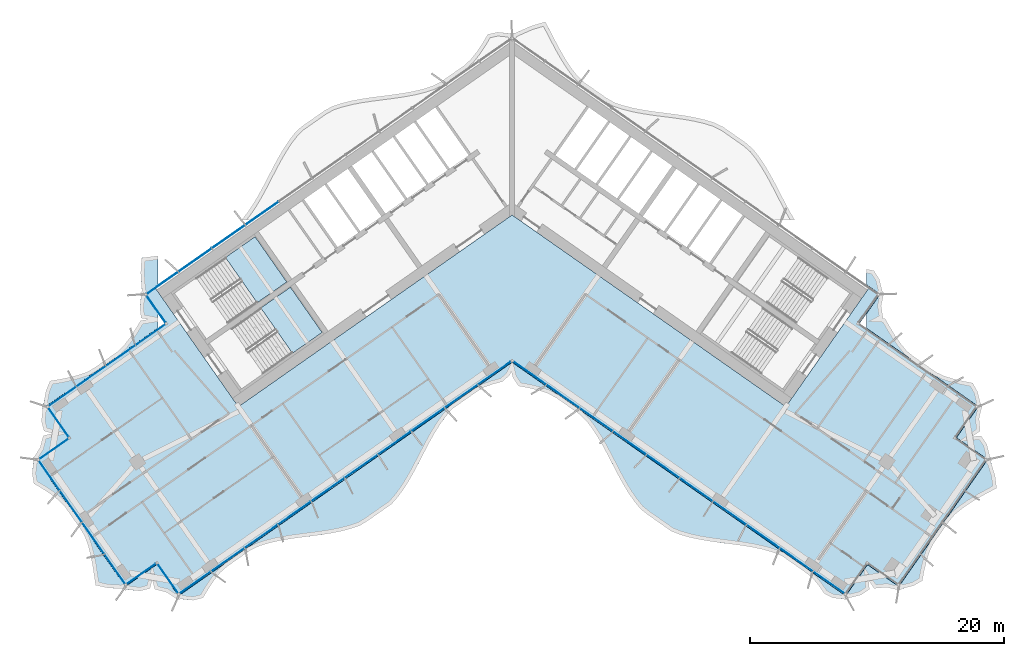
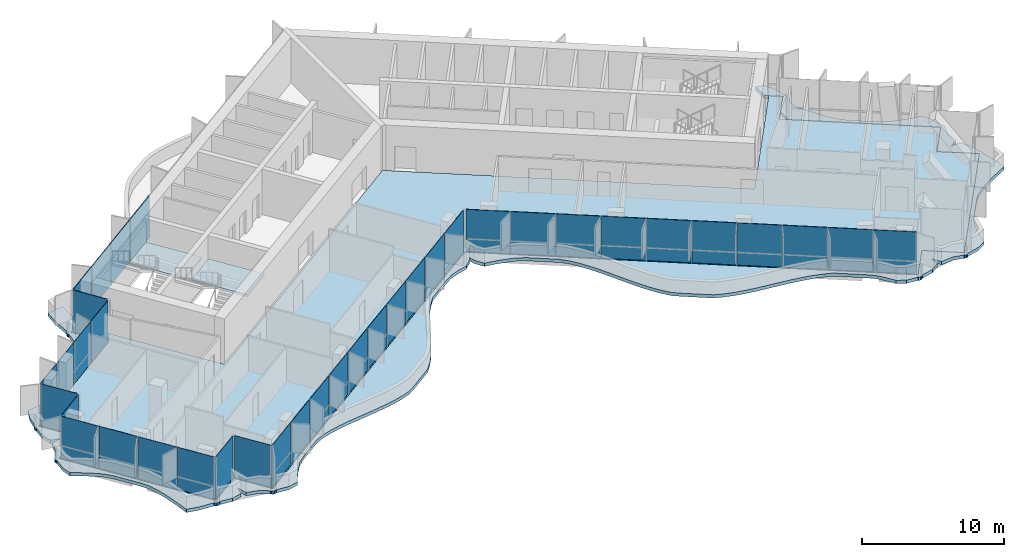
# One storey, part 12 of 23: 37 plates, 4 slabs, 4 elements without a shape of their own.
"""IFC4 building model written with IfcOpenShell, lengths in metres."""

import ifcopenshell
import ifcopenshell.guid

model = None  # the IFC model being written
_history = None  # IfcOwnerHistory: only IFC2X3 demands one
_inside = {}  # id of a spatial element -> (the spatial element, [elements in it])
_under = {}  # id of a project, library or spatial element -> (it, [spatial elements below it])
_declared = {}  # id of a project -> (the project, [libraries it declares])
_typed = {}  # id of a type object -> (the type object, [elements of that type])
_made_of = {}  # id of a material, layer set ... -> (it, [elements and type objects made of it])


def new_model(schema):
    """Start an empty IFC model of exactly this schema.

    Asked for "IFC4X3", IfcOpenShell would pick the latest addendum, in which some entities
    have other attributes; the version numbers below select the first issue.
    IFC2X3 requires an IfcOwnerHistory on every rooted entity: one is made here for all.
    """
    global model, _history
    if schema == "IFC4X3":
        model = ifcopenshell.file(schema_version=(4, 3, 0, 0))
    else:
        model = ifcopenshell.file(schema=schema)
    _inside.clear()
    _under.clear()
    _declared.clear()
    _typed.clear()
    _made_of.clear()
    _history = None
    if model.schema == "IFC2X3":
        org = make("IfcOrganization", Name="unknown")
        user = make(
            "IfcPersonAndOrganization",
            ThePerson=make("IfcPerson", FamilyName="unknown"),
            TheOrganization=org,
        )
        app = make(
            "IfcApplication",
            ApplicationDeveloper=org,
            Version="unknown",
            ApplicationFullName="unknown",
            ApplicationIdentifier="unknown",
        )
        _history = make(
            "IfcOwnerHistory",
            OwningUser=user,
            OwningApplication=app,
            ChangeAction="ADDED",
            CreationDate=0,
        )
    return model


def make(cls, **values):
    """One entity of the class cls with the attributes given. An attribute that is None is left unset."""
    return model.create_entity(
        cls, **{name: value for name, value in values.items() if value is not None}
    )


def rooted(cls, **values):
    """An entity with a GlobalId (a new one), such as an element, a storey or a relation."""
    return make(cls, GlobalId=ifcopenshell.guid.new(), OwnerHistory=_history, **values)


def si_unit(unit_type, name, prefix=None):
    """IfcSIUnit, for example si_unit("LENGTHUNIT", "METRE", prefix="MILLI")."""
    return make("IfcSIUnit", UnitType=unit_type, Prefix=prefix, Name=name)


def assignment(units):
    """IfcUnitAssignment: the units of a project."""
    return None if units is None else make("IfcUnitAssignment", Units=units)


def point(xyz):
    """IfcCartesianPoint."""
    return None if xyz is None else make("IfcCartesianPoint", Coordinates=xyz)


def direction(xyz):
    """IfcDirection."""
    return None if xyz is None else make("IfcDirection", DirectionRatios=xyz)


def frame(location, z_axis=None, x_axis=None):
    """IfcAxis2Placement3D, a coordinate frame: its origin and axes. An axis left out is left unset."""
    return make(
        "IfcAxis2Placement3D",
        Location=point(location),
        Axis=direction(z_axis),
        RefDirection=direction(x_axis),
    )


def frame_2d(location, x_axis=None):
    """IfcAxis2Placement2D, a coordinate frame in the plane: its origin and x axis."""
    return make(
        "IfcAxis2Placement2D", Location=point(location), RefDirection=direction(x_axis)
    )


def origin():
    """The frame at (0, 0, 0) with its axes left unset."""
    return frame((0.0, 0.0, 0.0))


def origin_2d():
    """The frame at (0, 0) in the plane with its x axis left unset."""
    return frame_2d((0.0, 0.0))


def place(relative_to, where):
    """IfcLocalPlacement: puts the frame where relative to a parent placement (None: the world)."""
    return make(
        "IfcLocalPlacement", PlacementRelTo=relative_to, RelativePlacement=where
    )


def context(
    kind, dimensions, precision=None, world=None, true_north=None, identifier=None
):
    """IfcGeometricRepresentationContext, for example the 3D "Model" context."""
    return make(
        "IfcGeometricRepresentationContext",
        ContextIdentifier=identifier,
        ContextType=kind,
        CoordinateSpaceDimension=dimensions,
        Precision=precision,
        WorldCoordinateSystem=world,
        TrueNorth=true_north,
    )


def subcontext(parent, identifier, kind, view, scale=None):
    """IfcGeometricRepresentationSubContext, for example "Body" below "Model"."""
    return make(
        "IfcGeometricRepresentationSubContext",
        ContextIdentifier=identifier,
        ContextType=kind,
        ParentContext=parent,
        TargetScale=scale,
        TargetView=view,
    )


def project(units=None, contexts=None):
    """IfcProject with its units and contexts."""
    return rooted(
        "IfcProject",
        Name="project",
        RepresentationContexts=contexts,
        UnitsInContext=assignment(units),
    )


def spatial(cls, under=None, at=None, **own):
    """A site, building, storey or space (cls), placed at a placement, below another one or the project."""
    s = rooted(cls, ObjectPlacement=at, **own)
    if under is not None:
        _under.setdefault(under.id(), (under, []))[1].append(s)
    return s


def polyline(points):
    """IfcPolyline through the points."""
    return make("IfcPolyline", Points=[point(p) for p in points])


def profile(cls, at=None, kind="AREA", **sizes):
    """A parametric profile (cls). Its sizes go by their IFC names, for example OverallWidth=200.0."""
    return make(cls, ProfileType=kind, Position=at, **sizes)


def rectangle(**sizes):
    """IfcRectangleProfileDef."""
    return profile("IfcRectangleProfileDef", **sizes)


def outline(outer, holes=None, kind="AREA"):
    """IfcArbitraryClosedProfileDef: a profile drawn as a closed curve; with holes, ...WithVoids."""
    if holes is None:
        return make("IfcArbitraryClosedProfileDef", ProfileType=kind, OuterCurve=outer)
    return make(
        "IfcArbitraryProfileDefWithVoids",
        ProfileType=kind,
        OuterCurve=outer,
        InnerCurves=holes,
    )


def extrude(swept, where, along, depth):
    """IfcExtrudedAreaSolid: the profile swept, set in the frame where, extruded along a direction by depth."""
    return make(
        "IfcExtrudedAreaSolid",
        SweptArea=swept,
        Position=where,
        ExtrudedDirection=direction(along),
        Depth=depth,
    )


def shape(context_of_items, identifier, shape_type, items):
    """IfcShapeRepresentation: the items that make up one representation, for example the "Body"."""
    return make(
        "IfcShapeRepresentation",
        ContextOfItems=context_of_items,
        RepresentationIdentifier=identifier,
        RepresentationType=shape_type,
        Items=items,
    )


def material(Name=None, Category=None):
    """IfcMaterial."""
    return make("IfcMaterial", Name=Name, Category=Category)


def layer(
    of_material, thickness, ventilated=None, Name=None, Category=None, Priority=None
):
    """IfcMaterialLayer: one layer of a wall or slab, of a material (None: an air gap)."""
    return make(
        "IfcMaterialLayer",
        Material=of_material,
        LayerThickness=thickness,
        IsVentilated=ventilated,
        Name=Name,
        Category=Category,
        Priority=Priority,
    )


def layer_set(layers, Name=None):
    """IfcMaterialLayerSet."""
    return make("IfcMaterialLayerSet", MaterialLayers=layers, LayerSetName=Name)


def made_of(thing, what):
    """Note that an element or type object is made of a material, layer set ...; save() writes the relation."""
    if what is not None:
        _made_of.setdefault(what.id(), (what, []))[1].append(thing)
    return thing


def type_object(cls, material=None, **own):
    """A type object (cls), such as IfcWallType, which elements share."""
    return made_of(rooted(cls, **own), material)


def element(
    cls,
    number,
    at=None,
    inside=None,
    cuts=None,
    type_object=None,
    material=None,
    context=None,
    identifier="Body",
    shape_type=None,
    held_by="IfcProductDefinitionShape",
    body=None,
    shapes=None,
    **own,
):
    """One element of the class cls, such as IfcWall. Its Tag is "e" and its number.

    at: its placement. inside: the storey or other place that contains it. cuts: it is an
    opening in that element (IfcRelVoidsElement). A single representation is given by context,
    identifier, shape_type and body (its items); several are given by shapes. held_by: the class
    of the entity that holds the representations. save() writes the other relations.
    """
    e = rooted(cls, Tag="e%d" % number, ObjectPlacement=at, **own)
    if body is not None:
        shapes = [shape(context, identifier, shape_type, body)]
    if shapes is not None:
        e.Representation = make(held_by, Representations=shapes)
    if inside is not None:
        _inside.setdefault(inside.id(), (inside, []))[1].append(e)
    if cuts is not None:
        rooted(
            "IfcRelVoidsElement", RelatingBuildingElement=cuts, RelatedOpeningElement=e
        )
    if type_object is not None:
        _typed.setdefault(type_object.id(), (type_object, []))[1].append(e)
    return made_of(e, material)


def aggregate(whole, parts):
    """IfcRelAggregates: a whole, such as a stair, and the parts it consists of."""
    return rooted("IfcRelAggregates", RelatingObject=whole, RelatedObjects=parts)


def save(model, path):
    """Write the relations noted so far, then the file.

    IfcRelAggregates (storeys below a building ...), IfcRelContainedInSpatialStructure (elements
    in a storey), IfcRelDefinesByType, IfcRelAssociatesMaterial and IfcRelDeclares: one each for
    every whole, place, type object, material and project.
    """
    for whole, parts in _under.values():
        aggregate(whole, parts)
    for where, things in _inside.values():
        rooted(
            "IfcRelContainedInSpatialStructure",
            RelatedElements=things,
            RelatingStructure=where,
        )
    for kind, things in _typed.values():
        rooted("IfcRelDefinesByType", RelatedObjects=things, RelatingType=kind)
    for what, things in _made_of.values():
        rooted("IfcRelAssociatesMaterial", RelatedObjects=things, RelatingMaterial=what)
    for by, libraries in _declared.values():
        rooted("IfcRelDeclares", RelatingContext=by, RelatedDefinitions=libraries)
    model.write(path)


model = new_model("IFC4")

# Units and contexts
model_context = context("Model", 3, precision=1e-05, world=origin(), true_north=direction((0.0, 1.0)))
body_context = subcontext(model_context, "Body", "Model", "MODEL_VIEW")
ifc_project = project(units=[si_unit("LENGTHUNIT", "METRE"), si_unit("AREAUNIT", "SQUARE_METRE"), si_unit("VOLUMEUNIT", "CUBIC_METRE"), si_unit("PLANEANGLEUNIT", "RADIAN"), si_unit("MASSUNIT", "GRAM", prefix="KILO")], contexts=[model_context])

# Site, building, storey
site_placement = place(None, origin())
site = spatial("IfcSite", under=ifc_project, at=site_placement, CompositionType="ELEMENT")
building_placement = place(site_placement, origin())
building = spatial("IfcBuilding", under=site, at=building_placement, Name="Tel Ilan Convention Tower", CompositionType="ELEMENT")
storey_placement = place(building_placement, frame((0.0, 0.0, 186.60009765625)))
storey = spatial("IfcBuildingStorey", under=building, at=storey_placement, Name="L43", CompositionType="ELEMENT", Elevation=186.60009765625)

# Curtain wall, plates
ifc_material_1 = material(Name="Aluminium, bronze anodised", Category="aluminium")
curtain_wall_type_1 = type_object("IfcCurtainWallType", Name="CW4 STICK CURTAIN WALL, OFFICE TINTED GLASS", PredefinedType="NOTDEFINED", material=ifc_material_1)
curtain_wall_1_placement = place(storey_placement, origin())
curtain_wall_1 = element("IfcCurtainWall", 1, at=curtain_wall_1_placement, inside=storey, type_object=curtain_wall_type_1, Name="Curtain wall CW4-33.02", PredefinedType="NOTDEFINED")
ifc_material_2 = material(Name="Glass, bronze tinted, two-ply", Category="glass")
ifc_layer_1 = layer(ifc_material_2, 0.028076171875)
ifc_layer_set_1 = layer_set([ifc_layer_1], Name="CW GLASS PANEL 28")
plate_type_1 = type_object("IfcPlateType", Name="CW GLASS PANEL 28", PredefinedType="CURTAIN_PANEL", material=ifc_layer_set_1)
plate_1_placement = place(storey_placement, frame((-28.450927734375, -10.6435546875, -0.000244140625), z_axis=(0.0, 0.0, 1.0), x_axis=(-0.819152044289, -0.573576436351, 0.0)))
plate_1 = element("IfcPlate", 2, at=plate_1_placement, type_object=plate_type_1, Name="Glass panel", PredefinedType="CURTAIN_PANEL", context=body_context, shape_type="SweptSolid", body=[
    extrude(rectangle(XDim=2.819091796875, YDim=0.028076171875, at=origin_2d()), origin(), (0.0, 0.0, 1.0), 3.6201171875),
])
plate_2_placement = place(storey_placement, frame((-30.79736328125, -12.28662109375, -0.000244140625), z_axis=(0.0, 0.0, 1.0), x_axis=(-0.819152044289, -0.573576436351, 0.0)))
plate_2 = element("IfcPlate", 3, at=plate_2_placement, type_object=plate_type_1, Name="Glass panel", PredefinedType="CURTAIN_PANEL", context=body_context, shape_type="SweptSolid", body=[
    extrude(rectangle(XDim=2.7900390625, YDim=0.028076171875, at=origin_2d()), origin(), (0.0, 0.0, 1.0), 3.6201171875),
])
plate_3_placement = place(storey_placement, frame((-33.1318359375, -13.92138671875, -0.000244140625), z_axis=(0.0, 0.0, 1.0), x_axis=(-0.819152044289, -0.573576436351, 0.0)))
plate_3 = element("IfcPlate", 4, at=plate_3_placement, type_object=plate_type_1, Name="Glass panel", PredefinedType="CURTAIN_PANEL", context=body_context, shape_type="SweptSolid", body=[
    extrude(rectangle(XDim=2.7900390625, YDim=0.028076171875, at=origin_2d()), origin(), (0.0, 0.0, 1.0), 3.6201171875),
])
plate_4_placement = place(storey_placement, frame((-35.427978515625, -15.529052734375, -0.000244140625), z_axis=(0.0, 0.0, 1.0), x_axis=(-0.819152044289, -0.573576436351, 0.0)))
plate_4 = element("IfcPlate", 5, at=plate_4_placement, type_object=plate_type_1, Name="Glass panel", PredefinedType="CURTAIN_PANEL", context=body_context, shape_type="SweptSolid", body=[
    extrude(rectangle(XDim=2.696044921875, YDim=0.028076171875, at=origin_2d()), origin(), (0.0, 0.0, 1.0), 3.6201171875),
])
plate_5_placement = place(storey_placement, frame((-35.713623046875, -17.51318359375, -0.000244140625), z_axis=(0.0, 0.0, 1.0), x_axis=(0.573576436351, -0.819152044289, 0.0)))
plate_5 = element("IfcPlate", 6, at=plate_5_placement, type_object=plate_type_1, Name="Glass panel", PredefinedType="CURTAIN_PANEL", context=body_context, shape_type="SweptSolid", body=[
    extrude(rectangle(XDim=2.875, YDim=0.028076171875, at=origin_2d()), origin(), (0.0, 0.0, 1.0), 3.6201171875),
])
plate_6_placement = place(storey_placement, frame((-36.09130859375, -19.656005859375, -0.000244140625), z_axis=(0.0, 0.0, 1.0), x_axis=(-0.819152044289, -0.573576436351, 0.0)))
plate_6 = element("IfcPlate", 7, at=plate_6_placement, type_object=plate_type_1, Name="Glass panel", PredefinedType="CURTAIN_PANEL", context=body_context, shape_type="SweptSolid", body=[
    extrude(rectangle(XDim=2.875, YDim=0.028076171875, at=origin_2d()), origin(), (0.0, 0.0, 1.0), 3.6201171875),
])
plate_7_placement = place(storey_placement, frame((-36.4443359375, -21.699951171875, -0.000244140625), z_axis=(0.0, 0.0, 1.0), x_axis=(0.573576436351, -0.819152044289, 0.0)))
plate_7 = element("IfcPlate", 8, at=plate_7_placement, type_object=plate_type_1, Name="Glass panel", PredefinedType="CURTAIN_PANEL", context=body_context, shape_type="SweptSolid", body=[
    extrude(rectangle(XDim=2.89599609375, YDim=0.028076171875, at=origin_2d()), origin(), (0.0, 0.0, 1.0), 3.6201171875),
])
plate_8_placement = place(storey_placement, frame((-34.721923828125, -24.159912109375, -0.000244140625), z_axis=(0.0, 0.0, 1.0), x_axis=(0.573576436351, -0.819152044289, 0.0)))
plate_8 = element("IfcPlate", 9, at=plate_8_placement, type_object=plate_type_1, Name="Glass panel", PredefinedType="CURTAIN_PANEL", context=body_context, shape_type="SweptSolid", body=[
    extrude(rectangle(XDim=2.989990234375, YDim=0.028076171875, at=origin_2d()), origin(), (0.0, 0.0, 1.0), 3.6201171875),
])
plate_9_placement = place(storey_placement, frame((-32.972412109375, -26.658203125, -0.000244140625), z_axis=(0.0, 0.0, 1.0), x_axis=(0.573576436351, -0.819152044289, 0.0)))
plate_9 = element("IfcPlate", 10, at=plate_9_placement, type_object=plate_type_1, Name="Glass panel", PredefinedType="CURTAIN_PANEL", context=body_context, shape_type="SweptSolid", body=[
    extrude(rectangle(XDim=2.989990234375, YDim=0.028076171875, at=origin_2d()), origin(), (0.0, 0.0, 1.0), 3.6201171875),
])
plate_10_placement = place(storey_placement, frame((-31.25, -29.1181640625, -0.000244140625), z_axis=(0.0, 0.0, 1.0), x_axis=(0.573576436351, -0.819152044289, 0.0)))
plate_10 = element("IfcPlate", 11, at=plate_10_placement, type_object=plate_type_1, Name="Glass panel", PredefinedType="CURTAIN_PANEL", context=body_context, shape_type="SweptSolid", body=[
    extrude(rectangle(XDim=2.89599609375, YDim=0.028076171875, at=origin_2d()), origin(), (0.0, 0.0, 1.0), 3.6201171875),
])
plate_11_placement = place(storey_placement, frame((-29.20849609375, -29.48583984375, -0.000244140625), z_axis=(0.0, 0.0, 1.0), x_axis=(0.819152044289, 0.573576436351, 0.0)))
plate_11 = element("IfcPlate", 12, at=plate_11_placement, type_object=plate_type_1, Name="Glass panel", PredefinedType="CURTAIN_PANEL", context=body_context, shape_type="SweptSolid", body=[
    extrude(rectangle(XDim=2.875, YDim=0.028076171875, at=origin_2d()), origin(), (0.0, 0.0, 1.0), 3.6201171875),
])
plate_12_placement = place(storey_placement, frame((-27.065673828125, -29.863525390625, -0.000244140625), z_axis=(0.0, 0.0, 1.0), x_axis=(0.573576436351, -0.819152044289, 0.0)))
plate_12 = element("IfcPlate", 13, at=plate_12_placement, type_object=plate_type_1, Name="Glass panel", PredefinedType="CURTAIN_PANEL", context=body_context, shape_type="SweptSolid", body=[
    extrude(rectangle(XDim=2.875, YDim=0.028076171875, at=origin_2d()), origin(), (0.0, 0.0, 1.0), 3.6201171875),
])
plate_13_placement = place(storey_placement, frame((-24.958251953125, -30.172119140625, -0.000244140625), z_axis=(0.0, 0.0, 1.0), x_axis=(0.819152044289, 0.573576436351, 0.0)))
plate_13 = element("IfcPlate", 14, at=plate_13_placement, type_object=plate_type_1, Name="Glass panel", PredefinedType="CURTAIN_PANEL", context=body_context, shape_type="SweptSolid", body=[
    extrude(rectangle(XDim=3.05078125, YDim=0.028076171875, at=origin_2d()), origin(), (0.0, 0.0, 1.0), 3.6201171875),
])
plate_14_placement = place(storey_placement, frame((-22.37158203125, -28.36083984375, -0.000244140625), z_axis=(0.0, 0.0, 1.0), x_axis=(0.819152044289, 0.573576436351, 0.0)))
plate_14 = element("IfcPlate", 15, at=plate_14_placement, type_object=plate_type_1, Name="Glass panel", PredefinedType="CURTAIN_PANEL", context=body_context, shape_type="SweptSolid", body=[
    extrude(rectangle(XDim=3.144775390625, YDim=0.028076171875, at=origin_2d()), origin(), (0.0, 0.0, 1.0), 3.6201171875),
])
plate_15_placement = place(storey_placement, frame((-19.746337890625, -26.522705078125, -0.000244140625), z_axis=(0.0, 0.0, 1.0), x_axis=(0.819152044289, 0.573576436351, 0.0)))
plate_15 = element("IfcPlate", 16, at=plate_15_placement, type_object=plate_type_1, Name="Glass panel", PredefinedType="CURTAIN_PANEL", context=body_context, shape_type="SweptSolid", body=[
    extrude(rectangle(XDim=3.144775390625, YDim=0.028076171875, at=origin_2d()), origin(), (0.0, 0.0, 1.0), 3.6201171875),
])
plate_16_placement = place(storey_placement, frame((-17.12109375, -24.684326171875, -0.000244140625), z_axis=(0.0, 0.0, 1.0), x_axis=(0.819152044289, 0.573576436351, 0.0)))
plate_16 = element("IfcPlate", 17, at=plate_16_placement, type_object=plate_type_1, Name="Glass panel", PredefinedType="CURTAIN_PANEL", context=body_context, shape_type="SweptSolid", body=[
    extrude(rectangle(XDim=3.144775390625, YDim=0.028076171875, at=origin_2d()), origin(), (0.0, 0.0, 1.0), 3.6201171875),
])
plate_17_placement = place(storey_placement, frame((-14.49609375, -22.84619140625, -0.000244140625), z_axis=(0.0, 0.0, 1.0), x_axis=(0.819152044289, 0.573576436351, 0.0)))
plate_17 = element("IfcPlate", 18, at=plate_17_placement, type_object=plate_type_1, Name="Glass panel", PredefinedType="CURTAIN_PANEL", context=body_context, shape_type="SweptSolid", body=[
    extrude(rectangle(XDim=3.144775390625, YDim=0.028076171875, at=origin_2d()), origin(), (0.0, 0.0, 1.0), 3.6201171875),
])
plate_18_placement = place(storey_placement, frame((-11.870849609375, -21.008056640625, -0.000244140625), z_axis=(0.0, 0.0, 1.0), x_axis=(0.819152044289, 0.573576436351, 0.0)))
plate_18 = element("IfcPlate", 19, at=plate_18_placement, type_object=plate_type_1, Name="Glass panel", PredefinedType="CURTAIN_PANEL", context=body_context, shape_type="SweptSolid", body=[
    extrude(rectangle(XDim=3.144775390625, YDim=0.028076171875, at=origin_2d()), origin(), (0.0, 0.0, 1.0), 3.6201171875),
])
plate_19_placement = place(storey_placement, frame((-9.24560546875, -19.169921875, -0.000244140625), z_axis=(0.0, 0.0, 1.0), x_axis=(0.819152044289, 0.573576436351, 0.0)))
plate_19 = element("IfcPlate", 20, at=plate_19_placement, type_object=plate_type_1, Name="Glass panel", PredefinedType="CURTAIN_PANEL", context=body_context, shape_type="SweptSolid", body=[
    extrude(rectangle(XDim=3.144775390625, YDim=0.028076171875, at=origin_2d()), origin(), (0.0, 0.0, 1.0), 3.6201171875),
])
plate_20_placement = place(storey_placement, frame((-6.620361328125, -17.331787109375, -0.000244140625), z_axis=(0.0, 0.0, 1.0), x_axis=(0.819152044289, 0.573576436351, 0.0)))
plate_20 = element("IfcPlate", 21, at=plate_20_placement, type_object=plate_type_1, Name="Glass panel", PredefinedType="CURTAIN_PANEL", context=body_context, shape_type="SweptSolid", body=[
    extrude(rectangle(XDim=3.144775390625, YDim=0.028076171875, at=origin_2d()), origin(), (0.0, 0.0, 1.0), 3.6201171875),
])
plate_21_placement = place(storey_placement, frame((-3.9951171875, -15.493408203125, -0.000244140625), z_axis=(0.0, 0.0, 1.0), x_axis=(0.819152044289, 0.573576436351, 0.0)))
plate_21 = element("IfcPlate", 22, at=plate_21_placement, type_object=plate_type_1, Name="Glass panel", PredefinedType="CURTAIN_PANEL", context=body_context, shape_type="SweptSolid", body=[
    extrude(rectangle(XDim=3.144775390625, YDim=0.028076171875, at=origin_2d()), origin(), (0.0, 0.0, 1.0), 3.6201171875),
])
plate_22_placement = place(storey_placement, frame((-1.370361328125, -13.655517578125, -0.000244140625), z_axis=(0.0, 0.0, 1.0), x_axis=(0.819152044289, 0.573576436351, 0.0)))
plate_22 = element("IfcPlate", 23, at=plate_22_placement, type_object=plate_type_1, Name="Glass panel", PredefinedType="CURTAIN_PANEL", context=body_context, shape_type="SweptSolid", body=[
    extrude(rectangle(XDim=3.143798828125, YDim=0.028076171875, at=origin_2d()), origin(), (0.0, 0.0, 1.0), 3.6201171875),
])
plate_23_placement = place(storey_placement, frame((1.3818359375, -13.66357421875, -0.000244140625), z_axis=(0.0, 0.0, 1.0), x_axis=(0.819152044289, -0.573576436351, 0.0)))
plate_23 = element("IfcPlate", 24, at=plate_23_placement, type_object=plate_type_1, Name="Glass panel", PredefinedType="CURTAIN_PANEL", context=body_context, shape_type="SweptSolid", body=[
    extrude(rectangle(XDim=3.11572265625, YDim=0.028076171875, at=origin_2d()), origin(), (0.0, 0.0, 1.0), 3.6201171875),
])
plate_24_placement = place(storey_placement, frame((3.9951171875, -15.493408203125, -0.000244140625), z_axis=(0.0, 0.0, 1.0), x_axis=(0.819152044289, -0.573576436351, 0.0)))
plate_24 = element("IfcPlate", 25, at=plate_24_placement, type_object=plate_type_1, Name="Glass panel", PredefinedType="CURTAIN_PANEL", context=body_context, shape_type="SweptSolid", body=[
    extrude(rectangle(XDim=3.144775390625, YDim=0.028076171875, at=origin_2d()), origin(), (0.0, 0.0, 1.0), 3.6201171875),
])
plate_25_placement = place(storey_placement, frame((6.620361328125, -17.331787109375, -0.000244140625), z_axis=(0.0, 0.0, 1.0), x_axis=(0.819152044289, -0.573576436351, 0.0)))
plate_25 = element("IfcPlate", 26, at=plate_25_placement, type_object=plate_type_1, Name="Glass panel", PredefinedType="CURTAIN_PANEL", context=body_context, shape_type="SweptSolid", body=[
    extrude(rectangle(XDim=3.144775390625, YDim=0.028076171875, at=origin_2d()), origin(), (0.0, 0.0, 1.0), 3.6201171875),
])
plate_26_placement = place(storey_placement, frame((9.24560546875, -19.169921875, -0.000244140625), z_axis=(0.0, 0.0, 1.0), x_axis=(0.819152044289, -0.573576436351, 0.0)))
plate_26 = element("IfcPlate", 27, at=plate_26_placement, type_object=plate_type_1, Name="Glass panel", PredefinedType="CURTAIN_PANEL", context=body_context, shape_type="SweptSolid", body=[
    extrude(rectangle(XDim=3.144775390625, YDim=0.028076171875, at=origin_2d()), origin(), (0.0, 0.0, 1.0), 3.6201171875),
])
plate_27_placement = place(storey_placement, frame((11.870849609375, -21.008056640625, -0.000244140625), z_axis=(0.0, 0.0, 1.0), x_axis=(0.819152044289, -0.573576436351, 0.0)))
plate_27 = element("IfcPlate", 28, at=plate_27_placement, type_object=plate_type_1, Name="Glass panel", PredefinedType="CURTAIN_PANEL", context=body_context, shape_type="SweptSolid", body=[
    extrude(rectangle(XDim=3.144775390625, YDim=0.028076171875, at=origin_2d()), origin(), (0.0, 0.0, 1.0), 3.6201171875),
])
plate_28_placement = place(storey_placement, frame((14.49609375, -22.84619140625, -0.000244140625), z_axis=(0.0, 0.0, 1.0), x_axis=(0.819152044289, -0.573576436351, 0.0)))
plate_28 = element("IfcPlate", 29, at=plate_28_placement, type_object=plate_type_1, Name="Glass panel", PredefinedType="CURTAIN_PANEL", context=body_context, shape_type="SweptSolid", body=[
    extrude(rectangle(XDim=3.144775390625, YDim=0.028076171875, at=origin_2d()), origin(), (0.0, 0.0, 1.0), 3.6201171875),
])
plate_29_placement = place(storey_placement, frame((17.12109375, -24.684326171875, -0.000244140625), z_axis=(0.0, 0.0, 1.0), x_axis=(0.819152044289, -0.573576436351, 0.0)))
plate_29 = element("IfcPlate", 30, at=plate_29_placement, type_object=plate_type_1, Name="Glass panel", PredefinedType="CURTAIN_PANEL", context=body_context, shape_type="SweptSolid", body=[
    extrude(rectangle(XDim=3.144775390625, YDim=0.028076171875, at=origin_2d()), origin(), (0.0, 0.0, 1.0), 3.6201171875),
])
plate_30_placement = place(storey_placement, frame((19.746337890625, -26.522705078125, -0.000244140625), z_axis=(0.0, 0.0, 1.0), x_axis=(0.819152044289, -0.573576436351, 0.0)))
plate_30 = element("IfcPlate", 31, at=plate_30_placement, type_object=plate_type_1, Name="Glass panel", PredefinedType="CURTAIN_PANEL", context=body_context, shape_type="SweptSolid", body=[
    extrude(rectangle(XDim=3.144775390625, YDim=0.028076171875, at=origin_2d()), origin(), (0.0, 0.0, 1.0), 3.6201171875),
])
plate_31_placement = place(storey_placement, frame((22.37158203125, -28.36083984375, -0.000244140625), z_axis=(0.0, 0.0, 1.0), x_axis=(0.819152044289, -0.573576436351, 0.0)))
plate_31 = element("IfcPlate", 32, at=plate_31_placement, type_object=plate_type_1, Name="Glass panel", PredefinedType="CURTAIN_PANEL", context=body_context, shape_type="SweptSolid", body=[
    extrude(rectangle(XDim=3.144775390625, YDim=0.028076171875, at=origin_2d()), origin(), (0.0, 0.0, 1.0), 3.6201171875),
])
plate_32_placement = place(storey_placement, frame((24.958251953125, -30.172119140625, -0.000244140625), z_axis=(0.0, 0.0, 1.0), x_axis=(0.819152044289, -0.573576436351, 0.0)))
plate_32 = element("IfcPlate", 33, at=plate_32_placement, type_object=plate_type_1, Name="Glass panel", PredefinedType="CURTAIN_PANEL", context=body_context, shape_type="SweptSolid", body=[
    extrude(rectangle(XDim=3.05078125, YDim=0.028076171875, at=origin_2d()), origin(), (0.0, 0.0, 1.0), 3.6201171875),
])
aggregate(curtain_wall_1, [plate_1, plate_2, plate_3, plate_4, plate_5, plate_6, plate_7, plate_8, plate_9, plate_10, plate_11, plate_12, plate_13, plate_14, plate_15, plate_16, plate_17, plate_18, plate_19, plate_20, plate_21, plate_22, plate_23, plate_24, plate_25, plate_26, plate_27, plate_28, plate_29, plate_30, plate_31, plate_32])

ifc_material_3 = material(Name="Aluminium, bronze anodised", Category="aluminium")
curtain_wall_type_2 = type_object("IfcCurtainWallType", Name="CW2 STICK CURTAIN WALL, SPANDREL PANELS", PredefinedType="NOTDEFINED", material=ifc_material_3)
curtain_wall_2_placement = place(storey_placement, origin())
curtain_wall_2 = element("IfcCurtainWall", 34, at=curtain_wall_2_placement, inside=storey, type_object=curtain_wall_type_2, Name="Curtain wall CW2-33.01", PredefinedType="NOTDEFINED")
ifc_material_4 = material(Name="Aluminium composite panel, bronze anodised", Category="aluminium")
ifc_layer_2 = layer(ifc_material_4, 0.06005859375)
ifc_layer_set_2 = layer_set([ifc_layer_2], Name="CW SPANDREL PANEL 60")
plate_type_2 = type_object("IfcPlateType", Name="CW SPANDREL PANEL 60", PredefinedType="CURTAIN_PANEL", material=ifc_layer_set_2)
plate_33_placement = place(storey_placement, frame((-19.687255859375, -1.089111328125, -0.000244140625), z_axis=(0.0, 0.0, 1.0), x_axis=(-0.819152044289, -0.573576436351, 0.0)))
plate_33 = element("IfcPlate", 35, at=plate_33_placement, type_object=plate_type_2, Name="Spandrel panel", PredefinedType="CURTAIN_PANEL", context=body_context, shape_type="SweptSolid", body=[
    extrude(rectangle(XDim=3.15380859375, YDim=0.06005859375, at=origin_2d()), origin(), (0.0, 0.0, 1.0), 3.6201171875),
])
plate_34_placement = place(storey_placement, frame((-22.31982421875, -2.9326171875, -0.000244140625), z_axis=(0.0, 0.0, 1.0), x_axis=(-0.819152044289, -0.573576436351, 0.0)))
plate_34 = element("IfcPlate", 36, at=plate_34_placement, type_object=plate_type_2, Name="Spandrel panel", PredefinedType="CURTAIN_PANEL", context=body_context, shape_type="SweptSolid", body=[
    extrude(rectangle(XDim=3.15380859375, YDim=0.06005859375, at=origin_2d()), origin(), (0.0, 0.0, 1.0), 3.6201171875),
])
plate_35_placement = place(storey_placement, frame((-24.95263671875, -4.77587890625, -0.000244140625), z_axis=(0.0, 0.0, 1.0), x_axis=(-0.819152044289, -0.573576436351, 0.0)))
plate_35 = element("IfcPlate", 37, at=plate_35_placement, type_object=plate_type_2, Name="Spandrel panel", PredefinedType="CURTAIN_PANEL", context=body_context, shape_type="SweptSolid", body=[
    extrude(rectangle(XDim=3.15380859375, YDim=0.06005859375, at=origin_2d()), origin(), (0.0, 0.0, 1.0), 3.6201171875),
])
plate_36_placement = place(storey_placement, frame((-27.5400390625, -6.587646484375, -0.000244140625), z_axis=(0.0, 0.0, 1.0), x_axis=(-0.819152044289, -0.573576436351, 0.0)))
plate_36 = element("IfcPlate", 38, at=plate_36_placement, type_object=plate_type_2, Name="Spandrel panel", PredefinedType="CURTAIN_PANEL", context=body_context, shape_type="SweptSolid", body=[
    extrude(rectangle(XDim=3.0439453125, YDim=0.06005859375, at=origin_2d()), origin(), (0.0, 0.0, 1.0), 3.6201171875),
])
plate_37_placement = place(storey_placement, frame((-28.033935546875, -8.60546875, -0.000244140625), z_axis=(0.0, 0.0, 1.0), x_axis=(0.573576436351, -0.819152044289, 0.0)))
plate_37 = element("IfcPlate", 39, at=plate_37_placement, type_object=plate_type_2, Name="Spandrel panel", PredefinedType="CURTAIN_PANEL", context=body_context, shape_type="SweptSolid", body=[
    extrude(rectangle(XDim=2.658935546875, YDim=0.06005859375, at=origin_2d()), origin(), (0.0, 0.0, 1.0), 3.6201171875),
])
aggregate(curtain_wall_2, [plate_33, plate_34, plate_35, plate_36, plate_37])

# Stair, slab
ifc_material_5 = material(Name="Concrete C40/50", Category="concrete")
stair_type = type_object("IfcStairType", Name="Pressurised Exit Stair 22 risers 177 mm", PredefinedType="HALF_TURN_STAIR", material=ifc_material_5)
stair_1_placement = place(storey_placement, origin())
stair_1 = element("IfcStair", 40, at=stair_1_placement, inside=storey, type_object=stair_type, Name="L43 Pressurised Stair S1", PredefinedType="HALF_TURN_STAIR")
ifc_material_6 = material(Name="Concrete C40/50", Category="concrete")
ifc_layer_3 = layer(ifc_material_6, 0.199951171875)
ifc_layer_set_3 = layer_set([ifc_layer_3], Name="Concrete Stair Landing 200 mm C40/50")
slab_type_1 = type_object("IfcSlabType", Name="Concrete Stair Landing 200 mm", PredefinedType="LANDING", material=ifc_layer_set_3)
slab_1_placement = place(storey_placement, frame((0.0, 0.0, 1.75)))
slab_1 = element("IfcSlab", 41, at=slab_1_placement, type_object=slab_type_1, Name="S1 landing 1", PredefinedType="LANDING", context=body_context, shape_type="SweptSolid", body=[
    extrude(outline(polyline([(-20.066650390625, -8.130126953125), (-17.7314453125, -6.494873046875), (-20.226318359375, -2.931640625), (-22.561767578125, -4.566650390625), (-20.066650390625, -8.130126953125)])), origin(), (0.0, 0.0, 1.0), 0.199951171875),
])
aggregate(stair_1, [slab_1])

stair_2_placement = place(storey_placement, origin())
stair_2 = element("IfcStair", 42, at=stair_2_placement, inside=storey, type_object=stair_type, Name="L43 Pressurised Stair S2", PredefinedType="HALF_TURN_STAIR")
slab_2_placement = place(storey_placement, frame((0.0, 0.0, 1.75)))
slab_2 = element("IfcSlab", 43, at=slab_2_placement, type_object=slab_type_1, Name="S2 landing 1", PredefinedType="LANDING", context=body_context, shape_type="SweptSolid", body=[
    extrude(outline(polyline([(-17.28466796875, -12.10302734375), (-14.949462890625, -10.4677734375), (-17.444580078125, -6.904541015625), (-19.77978515625, -8.53955078125), (-17.28466796875, -12.10302734375)])), origin(), (0.0, 0.0, 1.0), 0.199951171875),
])
aggregate(stair_2, [slab_2])

# Slabs
ifc_material_7 = material(Name="Concrete C40/50", Category="concrete")
ifc_layer_4 = layer(ifc_material_7, 0.280029296875)
ifc_layer_set_4 = layer_set([ifc_layer_4], Name="Edge Ledge Slab 280 mm C40/50")
slab_type_2 = type_object("IfcSlabType", Name="Edge Ledge Slab 280 mm C40/50", PredefinedType="FLOOR", material=ifc_layer_set_4)
slab_3_placement = place(storey_placement, frame((0.0, 0.0, -0.280029296875)))
element("IfcSlab", 44, at=slab_3_placement, inside=storey, type_object=slab_type_2, Name="L43 edge ledge 1", PredefinedType="FLOOR", context=body_context, shape_type="SweptSolid", body=[
    extrude(outline(polyline([(-29.29443359375, -8.548583984375), (-29.20458984375, -7.631103515625), (-29.199951171875, -7.6279296875), (-29.236083984375, -7.57373046875), (-29.2587890625, -7.458984375), (-29.236083984375, -7.34423828125), (-29.1708984375, -7.246826171875), (-29.127685546875, -7.218017578125), (-29.130859375, -7.21337890625), (-29.231689453125, -5.78515625), (-29.161865234375, -4.60107421875), (-28.33935546875, -4.49169921875), (-27.875, -4.4326171875), (-27.875, -6.7001953125), (-28.958740234375, -7.458984375), (-27.875, -9.007080078125), (-27.875, -10.1181640625), (-36.691162109375, -16.29150390625), (-34.970458984375, -18.748779296875), (-37.427978515625, -20.469482421875), (-30.43017578125, -30.46337890625), (-27.972900390625, -28.74267578125), (-26.251953125, -31.199951171875), (0.0, -12.818115234375), (26.251953125, -31.199951171875), (27.972900390625, -28.74267578125), (30.43017578125, -30.46337890625), (37.427978515625, -20.469482421875), (34.970458984375, -18.748779296875), (36.691162109375, -16.29150390625), (27.875, -10.1181640625), (27.875, -9.007080078125), (28.958740234375, -7.458984375), (27.875, -6.7001953125), (27.875, -5.485595703125), (28.465576171875, -5.595458984375), (28.894287109375, -6.267333984375), (29.130859375, -7.21337890625), (29.127685546875, -7.218017578125), (29.1708984375, -7.246826171875), (29.236083984375, -7.34423828125), (29.2587890625, -7.458984375), (29.236083984375, -7.57373046875), (29.199951171875, -7.6279296875), (29.20458984375, -7.631103515625), (29.044921875, -8.373779296875), (29.194091796875, -9.332763671875), (29.132080078125, -9.36474609375), (29.356201171875, -9.3759765625), (29.74560546875, -10.06201171875), (30.151123046875, -10.72509765625), (30.5849609375, -11.347900390625), (31.052978515625, -11.92138671875), (31.6103515625, -12.36767578125), (33.361328125, -13.59375), (34.017333984375, -13.899169921875), (34.732421875, -14.1201171875), (35.47900390625, -14.2958984375), (36.246826171875, -14.44140625), (36.63134765625, -15.134521484375), (36.86328125, -16.045654296875), (36.85986328125, -16.05029296875), (36.9033203125, -16.079345703125), (36.96826171875, -16.176513671875), (36.9912109375, -16.29150390625), (36.96826171875, -16.40625), (36.93212890625, -16.460205078125), (36.93701171875, -16.46337890625), (36.748779296875, -17.24755859375), (36.839599609375, -18.2265625), (36.20458984375, -18.665283203125), (36.905517578125, -18.6005859375), (37.3603515625, -19.258544921875), (37.599853515625, -20.223876953125), (37.5966796875, -20.228515625), (37.639892578125, -20.257568359375), (37.705078125, -20.354736328125), (37.727783203125, -20.469482421875), (37.705078125, -20.58447265625), (37.6689453125, -20.638427734375), (37.673583984375, -20.6416015625), (38.010498046875, -21.753662109375), (38.13427734375, -22.71630859375), (37.423828125, -23.09521484375), (36.7236328125, -23.48095703125), (36.052734375, -23.88720703125), (35.421630859375, -24.3212890625), (34.83984375, -24.7900390625), (34.380615234375, -25.344482421875), (33.145751953125, -27.108154296875), (32.83154296875, -27.764404296875), (32.607177734375, -28.4833984375), (32.42919921875, -29.234619140625), (32.28369140625, -30.0087890625), (31.594482421875, -30.402587890625), (30.676025390625, -30.635498046875), (30.67138671875, -30.632080078125), (30.642333984375, -30.67529296875), (30.544921875, -30.740478515625), (30.43017578125, -30.76318359375), (30.3154296875, -30.740478515625), (30.261474609375, -30.704345703125), (30.25830078125, -30.708984375), (29.47412109375, -30.52099609375), (28.4951171875, -30.61181640625), (28.056396484375, -29.976806640625), (28.12109375, -30.677490234375), (27.463134765625, -31.132568359375), (26.497802734375, -31.3720703125), (26.4931640625, -31.368896484375), (26.464111328125, -31.412109375), (26.36669921875, -31.477294921875), (26.251953125, -31.5), (26.13720703125, -31.477294921875), (26.083251953125, -31.441162109375), (26.080078125, -31.44580078125), (25.2314453125, -31.358154296875), (24.565673828125, -31.009765625), (24.111328125, -30.35888671875), (23.619384765625, -29.76220703125), (23.02734375, -29.308349609375), (21.19580078125, -28.02587890625), (20.475830078125, -27.7548828125), (19.716064453125, -27.540283203125), (18.924072265625, -27.372314453125), (18.10791015625, -27.23828125), (17.27685546875, -27.1259765625), (16.44091796875, -27.0205078125), (15.610107421875, -26.9072265625), (14.794677734375, -26.7724609375), (14.003662109375, -26.602783203125), (13.245361328125, -26.386474609375), (12.530029296875, -26.108642578125), (10.698486328125, -24.826171875), (10.110107421875, -24.3671875), (9.61962890625, -23.768310546875), (9.166748046875, -23.115478515625), (8.744384765625, -22.41943359375), (8.343994140625, -21.69189453125), (7.956298828125, -20.9462890625), (7.57080078125, -20.197509765625), (7.177490234375, -19.45947265625), (6.76708984375, -18.74658203125), (6.329833984375, -18.071533203125), (5.8583984375, -17.445556640625), (5.322509765625, -16.9111328125), (3.490966796875, -15.62890625), (2.833251953125, -15.268798828125), (2.093017578125, -15.0263671875), (1.31689453125, -14.835693359375), (0.51220703125, -14.685546875), (0.06640625, -14.0224609375), (-0.055419921875, -13.53271484375), (-0.200439453125, -13.831298828125), (-0.755615234375, -14.337890625), (-1.5224609375, -14.5419921875), (-2.251708984375, -14.800048828125), (-2.880615234375, -15.201416015625), (-4.7119140625, -16.48388671875), (-5.212890625, -17.067626953125), (-5.67431640625, -17.708251953125), (-6.103271484375, -18.39501953125), (-6.508056640625, -19.1162109375), (-6.898193359375, -19.858642578125), (-7.283203125, -20.608154296875), (-7.673583984375, -21.35009765625), (-8.0791015625, -22.0703125), (-8.509033203125, -22.755615234375), (-8.9716796875, -23.39404296875), (-9.4775390625, -23.97119140625), (-11.30908203125, -25.253662109375), (-11.941650390625, -25.649658203125), (-12.672119140625, -25.90576171875), (-13.4404296875, -26.10791015625), (-14.239013671875, -26.266845703125), (-15.059814453125, -26.394287109375), (-15.892822265625, -26.503662109375), (-16.728515625, -26.609619140625), (-17.556396484375, -26.726806640625), (-18.36669921875, -26.86865234375), (-19.150634765625, -27.048583984375), (-19.900146484375, -27.277587890625), (-20.58544921875, -27.598388671875), (-22.4169921875, -28.880859375), (-22.980224609375, -29.375732421875), (-23.4609375, -29.98828125), (-23.90576171875, -30.652587890625), (-24.322021484375, -31.357421875), (-25.097412109375, -31.54931640625), (-26.080078125, -31.44580078125), (-26.083251953125, -31.441162109375), (-26.13720703125, -31.477294921875), (-26.251953125, -31.5), (-26.36669921875, -31.477294921875), (-26.464111328125, -31.412109375), (-26.4931640625, -31.368896484375), (-26.497802734375, -31.3720703125), (-27.170166015625, -30.92724609375), (-28.12109375, -30.677490234375), (-28.31640625, -29.930908203125), (-28.4951171875, -30.61181640625), (-29.26904296875, -30.814208984375), (-30.25830078125, -30.708984375), (-30.261474609375, -30.704345703125), (-30.3154296875, -30.740478515625), (-30.43017578125, -30.76318359375), (-30.544921875, -30.740478515625), (-30.642333984375, -30.67529296875), (-30.67138671875, -30.632080078125), (-30.676025390625, -30.635498046875), (-31.836181640625, -30.57177734375), (-32.782958984375, -30.358642578125), (-32.89599609375, -29.5615234375), (-33.01904296875, -28.771728515625), (-33.17138671875, -28.002197265625), (-33.363525390625, -27.2607421875), (-33.60498046875, -26.5537109375), (-33.968994140625, -25.9326171875), (-35.203857421875, -24.1689453125), (-35.712890625, -23.649169921875), (-36.311767578125, -23.1923828125), (-36.95703125, -22.768310546875), (-37.634765625, -22.36669921875), (-37.76904296875, -21.584716796875), (-37.673583984375, -20.6416015625), (-37.6689453125, -20.638427734375), (-37.705078125, -20.58447265625), (-37.727783203125, -20.469482421875), (-37.705078125, -20.354736328125), (-37.639892578125, -20.257568359375), (-37.5966796875, -20.228515625), (-37.599853515625, -20.223876953125), (-37.1552734375, -19.551513671875), (-36.905517578125, -18.6005859375), (-36.15869140625, -18.4052734375), (-36.839599609375, -18.2265625), (-37.0419921875, -17.45263671875), (-36.93701171875, -16.46337890625), (-36.93212890625, -16.460205078125), (-36.96826171875, -16.40625), (-36.9912109375, -16.29150390625), (-36.96826171875, -16.176513671875), (-36.9033203125, -16.079345703125), (-36.85986328125, -16.05029296875), (-36.86328125, -16.045654296875), (-36.686767578125, -15.055419921875), (-36.35986328125, -14.280029296875), (-35.58203125, -14.148681640625), (-34.8203125, -13.994384765625), (-34.086669921875, -13.7998046875), (-33.387451171875, -13.55615234375), (-32.777587890625, -13.18505859375), (-31.026611328125, -11.958984375), (-30.515380859375, -11.447021484375), (-30.06298828125, -10.850830078125), (-29.642578125, -10.208984375), (-29.2431640625, -9.537353515625), (-28.64111328125, -9.44189453125), (-29.194091796875, -9.332763671875), (-29.29443359375, -8.548583984375)])), origin(), (0.0, 0.0, 1.0), 0.280029296875),
])
ifc_material_8 = material(Name="Concrete C40/50", Category="concrete")
ifc_layer_5 = layer(ifc_material_8, 0.280029296875)
ifc_layer_set_5 = layer_set([ifc_layer_5], Name="Flat Plate Floor Slab 280 mm C40/50")
slab_type_3 = type_object("IfcSlabType", Name="Flat Plate Floor Slab 280 mm C40/50", PredefinedType="FLOOR", material=ifc_layer_set_5)
slab_4_placement = place(storey_placement, frame((0.0, 0.0, -0.280029296875)))
element("IfcSlab", 45, at=slab_4_placement, inside=storey, type_object=slab_type_3, Name="L43 floor slab", PredefinedType="FLOOR", context=body_context, shape_type="SweptSolid", body=[
    extrude(outline(polyline([(21.54345703125, -16.3056640625), (28.1396484375, -6.885498046875), (28.958740234375, -7.458984375), (27.352783203125, -9.752685546875), (36.691162109375, -16.29150390625), (34.970458984375, -18.748779296875), (37.427978515625, -20.469482421875), (30.43017578125, -30.46337890625), (27.972900390625, -28.74267578125), (26.251953125, -31.199951171875), (0.0, -12.818115234375), (-26.251953125, -31.199951171875), (-27.972900390625, -28.74267578125), (-30.43017578125, -30.46337890625), (-37.427978515625, -20.469482421875), (-34.970458984375, -18.748779296875), (-36.691162109375, -16.29150390625), (-27.352783203125, -9.752685546875), (-28.958740234375, -7.458984375), (-28.1396484375, -6.885498046875), (-21.54345703125, -16.3056640625), (0.0, -1.220703125), (21.54345703125, -16.3056640625)])), origin(), (0.0, 0.0, 1.0), 0.280029296875),
])

save(model, "model.ifc")
